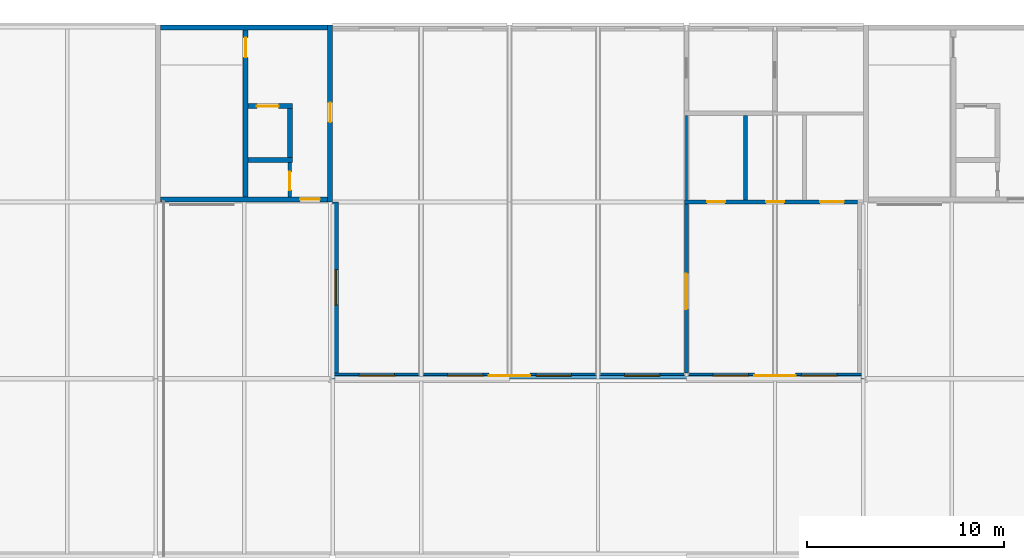
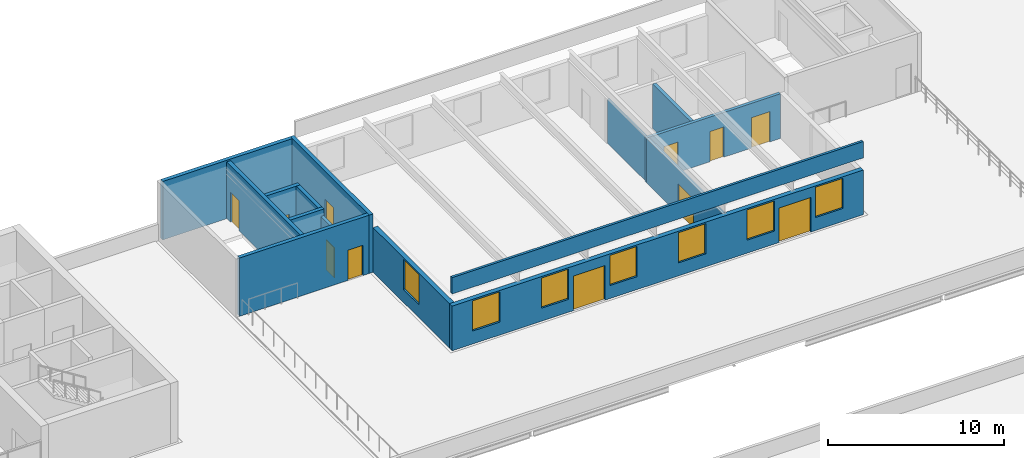
# One storey, part 46 of 50: 15 walls, 11 doors, 7 windows, 18 openings.
"""IFC4 building model written with IfcOpenShell, lengths in metres."""

from ifc_helpers import new_model, si_unit, direction, frame, frame_2d, origin, place, context, subcontext, project, spatial, rectangle, extrude, material, layer, layer_set, type_object, element, fill, save


model = new_model("IFC4")

# Units and contexts
model_context = context("Model", 3, precision=1e-05, world=origin(), true_north=direction((0.0, 1.0)))
body_context = subcontext(model_context, "Body", "Model", "MODEL_VIEW")
ifc_project = project(units=[si_unit("LENGTHUNIT", "METRE"), si_unit("AREAUNIT", "SQUARE_METRE"), si_unit("VOLUMEUNIT", "CUBIC_METRE"), si_unit("PLANEANGLEUNIT", "RADIAN"), si_unit("MASSUNIT", "GRAM", prefix="KILO")], contexts=[model_context])

# Site, building, storey
site_placement = place(None, origin())
site = spatial("IfcSite", under=ifc_project, at=site_placement, CompositionType="ELEMENT")
building_placement = place(site_placement, origin())
building = spatial("IfcBuilding", under=site, at=building_placement, Name="Corbel Yard City Hall", CompositionType="ELEMENT")
storey_placement = place(building_placement, frame((0.0, 0.0, 15.0)))
storey = spatial("IfcBuildingStorey", under=building, at=storey_placement, Name="L03", CompositionType="ELEMENT", Elevation=15.0)

# Wall, opening, door
ifc_material_1 = material(Name="Concrete N50 (50 MPa)", Category="concrete")
ifc_layer_1 = layer(ifc_material_1, 0.25)
ifc_layer_set_1 = layer_set([ifc_layer_1], Name="Concrete N50 (50 MPa)")
wall_type_1 = type_object("IfcWallType", Name="Core cell wall 250", PredefinedType="SHEAR", material=ifc_layer_set_1)
wall_1_placement = place(storey_placement, frame((71.875, 108.0, 0.0), z_axis=(0.0, 0.0, 1.0), x_axis=(0.0, 1.0, 0.0)))
wall_1 = element("IfcWall", 1, at=wall_1_placement, inside=storey, type_object=wall_type_1, Name="Core PC-N1 east wall", PredefinedType="SHEAR", context=body_context, shape_type="SweptSolid", body=[
    extrude(rectangle(XDim=9.0, YDim=0.25, at=frame_2d((4.5, 0.0))), origin(), (0.0, 0.0, 1.0), 4.050048828125),
])
opening_1_placement = place(wall_1_placement, frame((4.050048828125, 0.0, 0.0)))
opening_1 = element("IfcOpeningElement", 2, at=opening_1_placement, cuts=wall_1, Name="Opening L03-011", PredefinedType="OPENING", context=body_context, shape_type="SweptSolid", body=[
    extrude(rectangle(XDim=1.0, YDim=2.10009765625, at=frame_2d((0.5, 1.050048828125))), frame((0.0, 0.135009765625, 0.0), z_axis=(0.0, -1.0, 0.0), x_axis=(1.0, 0.0, 0.0)), (0.0, 0.0, 1.0), 0.27001953125),
])
ifc_material_2 = material(Name="Steel Grade G250", Category="steel")
door_type_1 = type_object("IfcDoorType", Name="FS1", OperationType="SINGLE_SWING_LEFT", PredefinedType="DOOR", material=ifc_material_2)
door_1_placement = place(opening_1_placement, frame((1.0, 0.0, 0.0), z_axis=(0.0, 0.0, 1.0), x_axis=(-1.0, 0.0, 0.0)))
door_1 = element("IfcDoor", 3, at=door_1_placement, inside=storey, type_object=door_type_1, Name="Door Lift Lobby", OperationType="SINGLE_SWING_LEFT", OverallHeight=2.10009765625, OverallWidth=1.0, PredefinedType="DOOR", context=body_context, shape_type="SweptSolid", body=[
    extrude(rectangle(XDim=1.0, YDim=2.10009765625, at=frame_2d((0.5, 1.050048828125))), frame((0.0, 0.02490234375, 0.0), z_axis=(0.0, -1.0, 0.0), x_axis=(1.0, 0.0, 0.0)), (0.0, 0.0, 1.0), 0.050048828125),
])
fill(opening_1, door_1)

wall_2_placement = place(storey_placement, frame((63.25, 108.125, 0.0), z_axis=(0.0, 0.0, 1.0), x_axis=(1.0, 0.0, 0.0)))
wall_2 = element("IfcWall", 4, at=wall_2_placement, inside=storey, type_object=wall_type_1, Name="Core PC-N1 south wall", PredefinedType="SHEAR", context=body_context, shape_type="SweptSolid", body=[
    extrude(rectangle(XDim=8.5, YDim=0.25, at=frame_2d((4.25, 0.0))), origin(), (0.0, 0.0, 1.0), 4.050048828125),
])
opening_2_placement = place(wall_2_placement, frame((7.10009765625, 0.0, 0.0)))
opening_2 = element("IfcOpeningElement", 5, at=opening_2_placement, cuts=wall_2, Name="Opening L03-003", PredefinedType="OPENING", context=body_context, shape_type="SweptSolid", body=[
    extrude(rectangle(XDim=1.0, YDim=2.10009765625, at=frame_2d((0.5, 1.050048828125))), frame((0.0, 0.135009765625, 0.0), z_axis=(0.0, -1.0, 0.0), x_axis=(1.0, 0.0, 0.0)), (0.0, 0.0, 1.0), 0.27001953125),
])
ifc_material_3 = material(Name="Steel Grade G250, insulated infill", Category="steel")
door_type_2 = type_object("IfcDoorType", Name="XD3", OperationType="SINGLE_SWING_LEFT", PredefinedType="DOOR", material=ifc_material_3)
door_2_placement = place(opening_2_placement, frame((1.0, 0.0, 0.0), z_axis=(0.0, 0.0, 1.0), x_axis=(-1.0, 0.0, 0.0)))
door_2 = element("IfcDoor", 6, at=door_2_placement, inside=storey, type_object=door_type_2, Name="Terrace door PC-N1", OperationType="SINGLE_SWING_LEFT", OverallHeight=2.10009765625, OverallWidth=1.0, PredefinedType="DOOR", context=body_context, shape_type="SweptSolid", body=[
    extrude(rectangle(XDim=1.0, YDim=2.10009765625, at=frame_2d((0.5, 1.050048828125))), frame((0.0, 0.02490234375, 0.0), z_axis=(0.0, -1.0, 0.0), x_axis=(1.0, 0.0, 0.0)), (0.0, 0.0, 1.0), 0.050048828125),
])
fill(opening_2, door_2)

# Wall
wall_3_placement = place(storey_placement, frame((63.25, 116.875, 0.0), z_axis=(0.0, 0.0, 1.0), x_axis=(1.0, 0.0, 0.0)))
element("IfcWall", 7, at=wall_3_placement, inside=storey, type_object=wall_type_1, Name="Core PC-N1 north wall", PredefinedType="SHEAR", context=body_context, shape_type="SweptSolid", body=[
    extrude(rectangle(XDim=8.5, YDim=0.25, at=frame_2d((4.25, 0.0))), origin(), (0.0, 0.0, 1.0), 4.050048828125),
])

# Wall, opening, window
ifc_material_4 = material(Name="Sandstone cladding", Category="masonry")
ifc_layer_2 = layer(ifc_material_4, 0.0400390625)
ifc_material_5 = material(Name="Air cavity", Category="air")
ifc_layer_3 = layer(ifc_material_5, 0.0400390625)
ifc_material_6 = material(Name="Concrete block", Category="concrete")
ifc_layer_4 = layer(ifc_material_6, 0.18994140625)
ifc_material_7 = material(Name="Gypsum plasterboard", Category="gypsum")
ifc_layer_5 = layer(ifc_material_7, 0.030029296875)
ifc_layer_set_2 = layer_set([ifc_layer_2, ifc_layer_3, ifc_layer_4, ifc_layer_5], Name="Concrete block")
wall_type_2 = type_object("IfcWallType", Name="EW1", PredefinedType="SOLIDWALL", material=ifc_layer_set_2)
wall_4_placement = place(storey_placement, frame((72.14990234375, 99.300048828125, 0.0), z_axis=(0.0, 0.0, 1.0), x_axis=(0.0, 1.0, 0.0)))
wall_4 = element("IfcWall", 8, at=wall_4_placement, inside=storey, type_object=wall_type_2, Name="Terrace Cafe west wall", PredefinedType="SOLIDWALL", context=body_context, shape_type="SweptSolid", body=[
    extrude(rectangle(XDim=8.699951171875, YDim=0.300048828125, at=frame_2d((4.35009765625, 0.0))), origin(), (0.0, 0.0, 1.0), 3.10009765625),
])
opening_3_placement = place(wall_4_placement, frame((3.449951171875, 0.0, 0.89990234375)))
opening_3 = element("IfcOpeningElement", 9, at=opening_3_placement, cuts=wall_4, Name="Opening WN7", PredefinedType="OPENING", context=body_context, shape_type="SweptSolid", body=[
    extrude(rectangle(XDim=1.800048828125, YDim=2.10009765625, at=frame_2d((0.89990234375, 1.050048828125))), frame((0.0, 0.159912109375, 0.0), z_axis=(0.0, -1.0, 0.0), x_axis=(1.0, 0.0, 0.0)), (0.0, 0.0, 1.0), 0.320068359375),
])
ifc_material_8 = material(Name="Aluminium frame, double glazed low-e glass", Category="aluminium")
window_type = type_object("IfcWindowType", Name="WN7", PartitioningType="SINGLE_PANEL", PredefinedType="WINDOW", material=ifc_material_8)
window_1_placement = place(opening_3_placement, origin())
window_1 = element("IfcWindow", 10, at=window_1_placement, inside=storey, type_object=window_type, Name="Window WN7 L03", OverallHeight=2.10009765625, OverallWidth=1.800048828125, PartitioningType="SINGLE_PANEL", PredefinedType="WINDOW", context=body_context, shape_type="SweptSolid", body=[
    extrude(rectangle(XDim=1.800048828125, YDim=2.10009765625, at=frame_2d((0.89990234375, 1.050048828125))), frame((0.0, 0.030029296875, 0.0), z_axis=(0.0, -1.0, 0.0), x_axis=(1.0, 0.0, 0.0)), (0.0, 0.0, 1.0), 0.06005859375),
])
fill(opening_3, window_1)

# Wall, openings, windows, doors
ifc_layer_6 = layer(ifc_material_4, 0.0400390625)
ifc_layer_7 = layer(ifc_material_5, 0.0400390625)
ifc_material_9 = material(Name="Concrete N40 (40 MPa)", Category="concrete")
ifc_layer_8 = layer(ifc_material_9, 0.18994140625)
ifc_layer_9 = layer(ifc_material_7, 0.030029296875)
ifc_layer_set_3 = layer_set([ifc_layer_6, ifc_layer_7, ifc_layer_8, ifc_layer_9], Name="Concrete N40 (40 MPa)")
wall_type_3 = type_object("IfcWallType", Name="EW8", PredefinedType="SOLIDWALL", material=ifc_layer_set_3)
wall_5_placement = place(storey_placement, frame((72.0, 99.14990234375, 0.0), z_axis=(0.0, 0.0, 1.0), x_axis=(1.0, 0.0, 0.0)))
wall_5 = element("IfcWall", 11, at=wall_5_placement, inside=storey, type_object=wall_type_3, Name="Terrace Cafe south wall", PredefinedType="SOLIDWALL", context=body_context, shape_type="SweptSolid", body=[
    extrude(rectangle(XDim=27.0, YDim=0.300048828125, at=frame_2d((13.5, 0.0))), origin(), (0.0, 0.0, 1.0), 3.10009765625),
])
opening_4_placement = place(wall_5_placement, frame((1.35009765625, 0.0, 0.89990234375)))
opening_4 = element("IfcOpeningElement", 12, at=opening_4_placement, cuts=wall_5, Name="Opening WN7", PredefinedType="OPENING", context=body_context, shape_type="SweptSolid", body=[
    extrude(rectangle(XDim=1.800048828125, YDim=2.10009765625, at=frame_2d((0.89990234375, 1.050048828125))), frame((0.0, 0.159912109375, 0.0), z_axis=(0.0, -1.0, 0.0), x_axis=(1.0, 0.0, 0.0)), (0.0, 0.0, 1.0), 0.320068359375),
])
opening_5_placement = place(wall_5_placement, frame((5.85009765625, 0.0, 0.89990234375)))
opening_5 = element("IfcOpeningElement", 13, at=opening_5_placement, cuts=wall_5, Name="Opening WN7", PredefinedType="OPENING", context=body_context, shape_type="SweptSolid", body=[
    extrude(rectangle(XDim=1.800048828125, YDim=2.10009765625, at=frame_2d((0.89990234375, 1.050048828125))), frame((0.0, 0.159912109375, 0.0), z_axis=(0.0, -1.0, 0.0), x_axis=(1.0, 0.0, 0.0)), (0.0, 0.0, 1.0), 0.320068359375),
])
opening_6_placement = place(wall_5_placement, frame((10.35009765625, 0.0, 0.89990234375)))
opening_6 = element("IfcOpeningElement", 14, at=opening_6_placement, cuts=wall_5, Name="Opening WN7", PredefinedType="OPENING", context=body_context, shape_type="SweptSolid", body=[
    extrude(rectangle(XDim=1.800048828125, YDim=2.10009765625, at=frame_2d((0.89990234375, 1.050048828125))), frame((0.0, 0.159912109375, 0.0), z_axis=(0.0, -1.0, 0.0), x_axis=(1.0, 0.0, 0.0)), (0.0, 0.0, 1.0), 0.320068359375),
])
opening_7_placement = place(wall_5_placement, frame((14.85009765625, 0.0, 0.89990234375)))
opening_7 = element("IfcOpeningElement", 15, at=opening_7_placement, cuts=wall_5, Name="Opening WN7", PredefinedType="OPENING", context=body_context, shape_type="SweptSolid", body=[
    extrude(rectangle(XDim=1.800048828125, YDim=2.10009765625, at=frame_2d((0.89990234375, 1.050048828125))), frame((0.0, 0.159912109375, 0.0), z_axis=(0.0, -1.0, 0.0), x_axis=(1.0, 0.0, 0.0)), (0.0, 0.0, 1.0), 0.320068359375),
])
opening_8_placement = place(wall_5_placement, frame((19.35009765625, 0.0, 0.89990234375)))
opening_8 = element("IfcOpeningElement", 16, at=opening_8_placement, cuts=wall_5, Name="Opening WN7", PredefinedType="OPENING", context=body_context, shape_type="SweptSolid", body=[
    extrude(rectangle(XDim=1.800048828125, YDim=2.10009765625, at=frame_2d((0.89990234375, 1.050048828125))), frame((0.0, 0.159912109375, 0.0), z_axis=(0.0, -1.0, 0.0), x_axis=(1.0, 0.0, 0.0)), (0.0, 0.0, 1.0), 0.320068359375),
])
opening_9_placement = place(wall_5_placement, frame((23.85009765625, 0.0, 0.89990234375)))
opening_9 = element("IfcOpeningElement", 17, at=opening_9_placement, cuts=wall_5, Name="Opening WN7", PredefinedType="OPENING", context=body_context, shape_type="SweptSolid", body=[
    extrude(rectangle(XDim=1.800048828125, YDim=2.10009765625, at=frame_2d((0.89990234375, 1.050048828125))), frame((0.0, 0.159912109375, 0.0), z_axis=(0.0, -1.0, 0.0), x_axis=(1.0, 0.0, 0.0)), (0.0, 0.0, 1.0), 0.320068359375),
])
opening_10_placement = place(wall_5_placement, frame((7.949951171875, 0.0, 0.0)))
opening_10 = element("IfcOpeningElement", 18, at=opening_10_placement, cuts=wall_5, Name="Opening L03-001", PredefinedType="OPENING", context=body_context, shape_type="SweptSolid", body=[
    extrude(rectangle(XDim=2.10009765625, YDim=2.39990234375, at=frame_2d((1.050048828125, 1.199951171875))), frame((0.0, 0.159912109375, 0.0), z_axis=(0.0, -1.0, 0.0), x_axis=(1.0, 0.0, 0.0)), (0.0, 0.0, 1.0), 0.320068359375),
])
opening_11_placement = place(wall_5_placement, frame((21.449951171875, 0.0, 0.0)))
opening_11 = element("IfcOpeningElement", 19, at=opening_11_placement, cuts=wall_5, Name="Opening L03-002", PredefinedType="OPENING", context=body_context, shape_type="SweptSolid", body=[
    extrude(rectangle(XDim=2.10009765625, YDim=2.39990234375, at=frame_2d((1.050048828125, 1.199951171875))), frame((0.0, 0.159912109375, 0.0), z_axis=(0.0, -1.0, 0.0), x_axis=(1.0, 0.0, 0.0)), (0.0, 0.0, 1.0), 0.320068359375),
])
window_2_placement = place(opening_4_placement, origin())
window_2 = element("IfcWindow", 20, at=window_2_placement, inside=storey, type_object=window_type, Name="Window WN7 L03", OverallHeight=2.10009765625, OverallWidth=1.800048828125, PartitioningType="SINGLE_PANEL", PredefinedType="WINDOW", context=body_context, shape_type="SweptSolid", body=[
    extrude(rectangle(XDim=1.800048828125, YDim=2.10009765625, at=frame_2d((0.89990234375, 1.050048828125))), frame((0.0, 0.030029296875, 0.0), z_axis=(0.0, -1.0, 0.0), x_axis=(1.0, 0.0, 0.0)), (0.0, 0.0, 1.0), 0.06005859375),
])
fill(opening_4, window_2)
window_3_placement = place(opening_5_placement, origin())
window_3 = element("IfcWindow", 21, at=window_3_placement, inside=storey, type_object=window_type, Name="Window WN7 L03", OverallHeight=2.10009765625, OverallWidth=1.800048828125, PartitioningType="SINGLE_PANEL", PredefinedType="WINDOW", context=body_context, shape_type="SweptSolid", body=[
    extrude(rectangle(XDim=1.800048828125, YDim=2.10009765625, at=frame_2d((0.89990234375, 1.050048828125))), frame((0.0, 0.030029296875, 0.0), z_axis=(0.0, -1.0, 0.0), x_axis=(1.0, 0.0, 0.0)), (0.0, 0.0, 1.0), 0.06005859375),
])
fill(opening_5, window_3)
window_4_placement = place(opening_6_placement, origin())
window_4 = element("IfcWindow", 22, at=window_4_placement, inside=storey, type_object=window_type, Name="Window WN7 L03", OverallHeight=2.10009765625, OverallWidth=1.800048828125, PartitioningType="SINGLE_PANEL", PredefinedType="WINDOW", context=body_context, shape_type="SweptSolid", body=[
    extrude(rectangle(XDim=1.800048828125, YDim=2.10009765625, at=frame_2d((0.89990234375, 1.050048828125))), frame((0.0, 0.030029296875, 0.0), z_axis=(0.0, -1.0, 0.0), x_axis=(1.0, 0.0, 0.0)), (0.0, 0.0, 1.0), 0.06005859375),
])
fill(opening_6, window_4)
window_5_placement = place(opening_7_placement, origin())
window_5 = element("IfcWindow", 23, at=window_5_placement, inside=storey, type_object=window_type, Name="Window WN7 L03", OverallHeight=2.10009765625, OverallWidth=1.800048828125, PartitioningType="SINGLE_PANEL", PredefinedType="WINDOW", context=body_context, shape_type="SweptSolid", body=[
    extrude(rectangle(XDim=1.800048828125, YDim=2.10009765625, at=frame_2d((0.89990234375, 1.050048828125))), frame((0.0, 0.030029296875, 0.0), z_axis=(0.0, -1.0, 0.0), x_axis=(1.0, 0.0, 0.0)), (0.0, 0.0, 1.0), 0.06005859375),
])
fill(opening_7, window_5)
window_6_placement = place(opening_8_placement, origin())
window_6 = element("IfcWindow", 24, at=window_6_placement, inside=storey, type_object=window_type, Name="Window WN7 L03", OverallHeight=2.10009765625, OverallWidth=1.800048828125, PartitioningType="SINGLE_PANEL", PredefinedType="WINDOW", context=body_context, shape_type="SweptSolid", body=[
    extrude(rectangle(XDim=1.800048828125, YDim=2.10009765625, at=frame_2d((0.89990234375, 1.050048828125))), frame((0.0, 0.030029296875, 0.0), z_axis=(0.0, -1.0, 0.0), x_axis=(1.0, 0.0, 0.0)), (0.0, 0.0, 1.0), 0.06005859375),
])
fill(opening_8, window_6)
window_7_placement = place(opening_9_placement, origin())
window_7 = element("IfcWindow", 25, at=window_7_placement, inside=storey, type_object=window_type, Name="Window WN7 L03", OverallHeight=2.10009765625, OverallWidth=1.800048828125, PartitioningType="SINGLE_PANEL", PredefinedType="WINDOW", context=body_context, shape_type="SweptSolid", body=[
    extrude(rectangle(XDim=1.800048828125, YDim=2.10009765625, at=frame_2d((0.89990234375, 1.050048828125))), frame((0.0, 0.030029296875, 0.0), z_axis=(0.0, -1.0, 0.0), x_axis=(1.0, 0.0, 0.0)), (0.0, 0.0, 1.0), 0.06005859375),
])
fill(opening_9, window_7)
ifc_material_10 = material(Name="Aluminium frame, toughened laminated glass", Category="aluminium")
door_type_3 = type_object("IfcDoorType", Name="XD5", OperationType="DOUBLE_DOOR_SINGLE_SWING", PredefinedType="DOOR", material=ifc_material_10)
door_3_placement = place(opening_10_placement, frame((2.10009765625, 0.0, 0.0), z_axis=(0.0, 0.0, 1.0), x_axis=(-1.0, 0.0, 0.0)))
door_3 = element("IfcDoor", 26, at=door_3_placement, inside=storey, type_object=door_type_3, Name="Terrace door L03-009", OperationType="DOUBLE_DOOR_SINGLE_SWING", OverallHeight=2.39990234375, OverallWidth=2.10009765625, PredefinedType="DOOR", context=body_context, shape_type="SweptSolid", body=[
    extrude(rectangle(XDim=2.10009765625, YDim=2.39990234375, at=frame_2d((1.050048828125, 1.199951171875))), frame((0.0, 0.02490234375, 0.0), z_axis=(0.0, -1.0, 0.0), x_axis=(1.0, 0.0, 0.0)), (0.0, 0.0, 1.0), 0.050048828125),
])
fill(opening_10, door_3)
door_4_placement = place(opening_11_placement, frame((2.10009765625, 0.0, 0.0), z_axis=(0.0, 0.0, 1.0), x_axis=(-1.0, 0.0, 0.0)))
door_4 = element("IfcDoor", 27, at=door_4_placement, inside=storey, type_object=door_type_3, Name="Terrace door L03-010", OperationType="DOUBLE_DOOR_SINGLE_SWING", OverallHeight=2.39990234375, OverallWidth=2.10009765625, PredefinedType="DOOR", context=body_context, shape_type="SweptSolid", body=[
    extrude(rectangle(XDim=2.10009765625, YDim=2.39990234375, at=frame_2d((1.050048828125, 1.199951171875))), frame((0.0, 0.02490234375, 0.0), z_axis=(0.0, -1.0, 0.0), x_axis=(1.0, 0.0, 0.0)), (0.0, 0.0, 1.0), 0.050048828125),
])
fill(opening_11, door_4)

# Wall, opening, door
ifc_layer_10 = layer(ifc_material_9, 0.25)
ifc_layer_set_4 = layer_set([ifc_layer_10], Name="Concrete N40 (40 MPa)")
wall_type_4 = type_object("IfcWallType", Name="IW2", PredefinedType="SOLIDWALL", material=ifc_layer_set_4)
wall_6_placement = place(storey_placement, frame((67.574951171875, 116.75, 0.0), z_axis=(0.0, 0.0, 1.0), x_axis=(0.0, -1.0, 0.0)))
wall_6 = element("IfcWall", 28, at=wall_6_placement, inside=storey, type_object=wall_type_4, Name="Stair enclosure wall", PredefinedType="SOLIDWALL", context=body_context, shape_type="SweptSolid", body=[
    extrude(rectangle(XDim=8.5, YDim=0.25, at=frame_2d((4.25, 0.0))), origin(), (0.0, 0.0, 1.0), 3.949951171875),
])
opening_12_placement = place(wall_6_placement, frame((0.39990234375, 0.0, 0.0)))
opening_12 = element("IfcOpeningElement", 29, at=opening_12_placement, cuts=wall_6, Name="Opening L03-007", PredefinedType="OPENING", context=body_context, shape_type="SweptSolid", body=[
    extrude(rectangle(XDim=1.0, YDim=2.10009765625, at=frame_2d((0.5, 1.050048828125))), frame((0.0, 0.135009765625, 0.0), z_axis=(0.0, -1.0, 0.0), x_axis=(1.0, 0.0, 0.0)), (0.0, 0.0, 1.0), 0.27001953125),
])
door_5_placement = place(opening_12_placement, frame((1.0, 0.0, 0.0), z_axis=(0.0, 0.0, 1.0), x_axis=(-1.0, 0.0, 0.0)))
door_5 = element("IfcDoor", 30, at=door_5_placement, inside=storey, type_object=door_type_1, Name="Door Exit Stair 16", OperationType="SINGLE_SWING_RIGHT", OverallHeight=2.10009765625, OverallWidth=1.0, PredefinedType="DOOR", context=body_context, shape_type="SweptSolid", body=[
    extrude(rectangle(XDim=1.0, YDim=2.10009765625, at=frame_2d((0.5, 1.050048828125))), frame((0.0, 0.02490234375, 0.0), z_axis=(0.0, -1.0, 0.0), x_axis=(1.0, 0.0, 0.0)), (0.0, 0.0, 1.0), 0.050048828125),
])
fill(opening_12, door_5)

# Wall
wall_7_placement = place(storey_placement, frame((67.699951171875, 110.125, 0.0), z_axis=(0.0, 0.0, 1.0), x_axis=(1.0, 0.0, 0.0)))
element("IfcWall", 31, at=wall_7_placement, inside=storey, type_object=wall_type_4, Name="Lift LP16 shaft wall", PredefinedType="SOLIDWALL", context=body_context, shape_type="SweptSolid", body=[
    extrude(rectangle(XDim=2.25, YDim=0.25, at=frame_2d((1.125, 0.0))), origin(), (0.0, 0.0, 1.0), 3.89990234375),
])

# Wall, opening, door
wall_8_placement = place(storey_placement, frame((67.699951171875, 112.875, 0.0), z_axis=(0.0, 0.0, 1.0), x_axis=(1.0, 0.0, 0.0)))
wall_8 = element("IfcWall", 32, at=wall_8_placement, inside=storey, type_object=wall_type_4, Name="Lift LP16 shaft wall", PredefinedType="SOLIDWALL", context=body_context, shape_type="SweptSolid", body=[
    extrude(rectangle(XDim=2.25, YDim=0.25, at=frame_2d((1.125, 0.0))), origin(), (0.0, 0.0, 1.0), 3.89990234375),
])
opening_13_placement = place(wall_8_placement, frame((0.449951171875, 0.0, 0.0)))
opening_13 = element("IfcOpeningElement", 33, at=opening_13_placement, cuts=wall_8, Name="Opening L03-005", PredefinedType="OPENING", context=body_context, shape_type="SweptSolid", body=[
    extrude(rectangle(XDim=1.10009765625, YDim=2.10009765625, at=frame_2d((0.550048828125, 1.050048828125))), frame((0.0, 0.135009765625, 0.0), z_axis=(0.0, -1.0, 0.0), x_axis=(1.0, 0.0, 0.0)), (0.0, 0.0, 1.0), 0.27001953125),
])
ifc_material_11 = material(Name="Stainless steel Grade 316", Category="steel")
door_type_4 = type_object("IfcDoorType", Name="LD1", OperationType="DOUBLE_DOOR_SLIDING", PredefinedType="DOOR", material=ifc_material_11)
door_6_placement = place(opening_13_placement, origin())
door_6 = element("IfcDoor", 34, at=door_6_placement, inside=storey, type_object=door_type_4, Name="Lift LP16 landing door", OperationType="DOUBLE_DOOR_SLIDING", OverallHeight=2.10009765625, OverallWidth=1.10009765625, PredefinedType="DOOR", context=body_context, shape_type="SweptSolid", body=[
    extrude(rectangle(XDim=1.10009765625, YDim=2.10009765625, at=frame_2d((0.550048828125, 1.050048828125))), frame((0.0, 0.02490234375, 0.0), z_axis=(0.0, -1.0, 0.0), x_axis=(1.0, 0.0, 0.0)), (0.0, 0.0, 1.0), 0.050048828125),
])
fill(opening_13, door_6)

# Walls
wall_9_placement = place(storey_placement, frame((69.824951171875, 110.25, 0.0), z_axis=(0.0, 0.0, 1.0), x_axis=(0.0, 1.0, 0.0)))
element("IfcWall", 35, at=wall_9_placement, inside=storey, type_object=wall_type_4, Name="Lift LP16 shaft wall", PredefinedType="SOLIDWALL", context=body_context, shape_type="SweptSolid", body=[
    extrude(rectangle(XDim=2.5, YDim=0.25, at=frame_2d((1.25, 0.0))), origin(), (0.0, 0.0, 1.0), 3.89990234375),
])
ifc_material_12 = material(Name="Concrete N32 (32 MPa)", Category="concrete")
ifc_layer_11 = layer(ifc_material_12, 0.159912109375)
ifc_layer_set_5 = layer_set([ifc_layer_11], Name="Concrete N32 (32 MPa)")
wall_type_5 = type_object("IfcWallType", Name="PR2", PredefinedType="PARAPET", material=ifc_layer_set_5)
wall_10_placement = place(storey_placement, frame((72.0, 99.080078125, 3.94189453125), z_axis=(0.0, 0.0, 1.0), x_axis=(1.0, 0.0, 0.0)))
element("IfcWall", 36, at=wall_10_placement, inside=storey, type_object=wall_type_5, Name="Pavilion roof parapet", PredefinedType="PARAPET", context=body_context, shape_type="SweptSolid", body=[
    extrude(rectangle(XDim=27.0, YDim=0.159912109375, at=frame_2d((13.5, 0.0))), origin(), (0.0, 0.0, 1.0), 1.14013671875),
])
ifc_layer_12 = layer(ifc_material_7, 0.028076171875)
ifc_material_13 = material(Name="Steel Grade G550 (550 MPa yield)", Category="steel")
ifc_layer_13 = layer(ifc_material_13, 0.06396484375)
ifc_layer_14 = layer(ifc_material_7, 0.028076171875)
ifc_layer_set_6 = layer_set([ifc_layer_12, ifc_layer_13, ifc_layer_14], Name="Steel Grade G550 (550 MPa yield)")
wall_type_6 = type_object("IfcWallType", Name="PT1", PredefinedType="PARTITIONING", material=ifc_layer_set_6)
wall_11_placement = place(storey_placement, frame((90.0, 108.10009765625, 0.0), z_axis=(0.0, 0.0, 1.0), x_axis=(0.0, 1.0, 0.0)))
element("IfcWall", 37, at=wall_11_placement, inside=storey, type_object=wall_type_6, Name="Partition", PredefinedType="PARTITIONING", context=body_context, shape_type="SweptSolid", body=[
    extrude(rectangle(XDim=4.287353515625, YDim=0.1201171875, at=frame_2d((2.1435546875, 0.0))), origin(), (0.0, 0.0, 1.0), 3.10009765625),
])

# Wall, openings, doors
ifc_layer_15 = layer(ifc_material_7, 0.031982421875)
ifc_layer_16 = layer(ifc_material_13, 0.135986328125)
ifc_layer_17 = layer(ifc_material_7, 0.031982421875)
ifc_layer_set_7 = layer_set([ifc_layer_15, ifc_layer_16, ifc_layer_17], Name="Steel Grade G550 (550 MPa yield)")
wall_type_7 = type_object("IfcWallType", Name="PT2", PredefinedType="PARTITIONING", material=ifc_layer_set_7)
wall_12_placement = place(storey_placement, frame((89.89990234375, 108.0, 0.0), z_axis=(0.0, 0.0, 1.0), x_axis=(1.0, 0.0, 0.0)))
wall_12 = element("IfcWall", 38, at=wall_12_placement, inside=storey, type_object=wall_type_7, Name="Acoustic wall", PredefinedType="PARTITIONING", context=body_context, shape_type="SweptSolid", body=[
    extrude(rectangle(XDim=8.800048828125, YDim=0.199951171875, at=frame_2d((4.39990234375, 0.0))), origin(), (0.0, 0.0, 1.0), 3.10009765625),
])
opening_14_placement = place(wall_12_placement, frame((1.14990234375, 0.0, 0.0)))
opening_14 = element("IfcOpeningElement", 39, at=opening_14_placement, cuts=wall_12, Name="Opening L03-013", PredefinedType="OPENING", context=body_context, shape_type="SweptSolid", body=[
    extrude(rectangle(XDim=0.919921875, YDim=2.10009765625, at=frame_2d((0.4599609375, 1.050048828125))), frame((0.0, 0.10986328125, 0.0), z_axis=(0.0, -1.0, 0.0), x_axis=(1.0, 0.0, 0.0)), (0.0, 0.0, 1.0), 0.219970703125),
])
opening_15_placement = place(wall_12_placement, frame((4.14990234375, 0.0, 0.0)))
opening_15 = element("IfcOpeningElement", 40, at=opening_15_placement, cuts=wall_12, Name="Opening L03-014", PredefinedType="OPENING", context=body_context, shape_type="SweptSolid", body=[
    extrude(rectangle(XDim=0.919921875, YDim=2.10009765625, at=frame_2d((0.4599609375, 1.050048828125))), frame((0.0, 0.10986328125, 0.0), z_axis=(0.0, -1.0, 0.0), x_axis=(1.0, 0.0, 0.0)), (0.0, 0.0, 1.0), 0.219970703125),
])
opening_16_placement = place(wall_12_placement, frame((6.89990234375, 0.0, 0.0)))
opening_16 = element("IfcOpeningElement", 41, at=opening_16_placement, cuts=wall_12, Name="Opening L03-015", PredefinedType="OPENING", context=body_context, shape_type="SweptSolid", body=[
    extrude(rectangle(XDim=1.199951171875, YDim=2.10009765625, at=frame_2d((0.60009765625, 1.050048828125))), frame((0.0, 0.10986328125, 0.0), z_axis=(0.0, -1.0, 0.0), x_axis=(1.0, 0.0, 0.0)), (0.0, 0.0, 1.0), 0.219970703125),
])
ifc_material_14 = material(Name="Timber", Category="wood")
door_type_5 = type_object("IfcDoorType", Name="D5", OperationType="SINGLE_SWING_RIGHT", PredefinedType="DOOR", material=ifc_material_14)
door_7_placement = place(opening_14_placement, origin())
door_7 = element("IfcDoor", 42, at=door_7_placement, inside=storey, type_object=door_type_5, Name="Door Terrace Women's WC", OperationType="SINGLE_SWING_RIGHT", OverallHeight=2.10009765625, OverallWidth=0.919921875, PredefinedType="DOOR", context=body_context, shape_type="SweptSolid", body=[
    extrude(rectangle(XDim=0.919921875, YDim=2.10009765625, at=frame_2d((0.4599609375, 1.050048828125))), frame((0.0, 0.02490234375, 0.0), z_axis=(0.0, -1.0, 0.0), x_axis=(1.0, 0.0, 0.0)), (0.0, 0.0, 1.0), 0.050048828125),
])
fill(opening_14, door_7)
door_8_placement = place(opening_15_placement, origin())
door_8 = element("IfcDoor", 43, at=door_8_placement, inside=storey, type_object=door_type_5, Name="Door Terrace Men's WC", OperationType="SINGLE_SWING_LEFT", OverallHeight=2.10009765625, OverallWidth=0.919921875, PredefinedType="DOOR", context=body_context, shape_type="SweptSolid", body=[
    extrude(rectangle(XDim=0.919921875, YDim=2.10009765625, at=frame_2d((0.4599609375, 1.050048828125))), frame((0.0, 0.02490234375, 0.0), z_axis=(0.0, -1.0, 0.0), x_axis=(1.0, 0.0, 0.0)), (0.0, 0.0, 1.0), 0.050048828125),
])
fill(opening_15, door_8)
door_type_6 = type_object("IfcDoorType", Name="D7", OperationType="SINGLE_SWING_LEFT", PredefinedType="DOOR", material=ifc_material_14)
door_9_placement = place(opening_16_placement, origin())
door_9 = element("IfcDoor", 44, at=door_9_placement, inside=storey, type_object=door_type_6, Name="Door Terrace Accessible WC", OperationType="SINGLE_SWING_LEFT", OverallHeight=2.10009765625, OverallWidth=1.199951171875, PredefinedType="DOOR", context=body_context, shape_type="SweptSolid", body=[
    extrude(rectangle(XDim=1.199951171875, YDim=2.10009765625, at=frame_2d((0.60009765625, 1.050048828125))), frame((0.0, 0.02490234375, 0.0), z_axis=(0.0, -1.0, 0.0), x_axis=(1.0, 0.0, 0.0)), (0.0, 0.0, 1.0), 0.050048828125),
])
fill(opening_16, door_9)

# Wall, opening, door
wall_13_placement = place(storey_placement, frame((90.0, 99.300048828125, 0.0), z_axis=(0.0, 0.0, 1.0), x_axis=(0.0, 1.0, 0.0)))
wall_13 = element("IfcWall", 45, at=wall_13_placement, inside=storey, type_object=wall_type_7, Name="Acoustic wall", PredefinedType="PARTITIONING", context=body_context, shape_type="SweptSolid", body=[
    extrude(rectangle(XDim=8.599853515625, YDim=0.199951171875, at=frame_2d((4.2998046875, 0.0))), origin(), (0.0, 0.0, 1.0), 3.10009765625),
])
opening_17_placement = place(wall_13_placement, frame((3.25, 0.0, 0.0)))
opening_17 = element("IfcOpeningElement", 46, at=opening_17_placement, cuts=wall_13, Name="Opening L03-012", PredefinedType="OPENING", context=body_context, shape_type="SweptSolid", body=[
    extrude(rectangle(XDim=1.800048828125, YDim=2.10009765625, at=frame_2d((0.89990234375, 1.050048828125))), frame((0.0, 0.10986328125, 0.0), z_axis=(0.0, -1.0, 0.0), x_axis=(1.0, 0.0, 0.0)), (0.0, 0.0, 1.0), 0.219970703125),
])
door_type_7 = type_object("IfcDoorType", Name="D3", OperationType="DOUBLE_DOOR_SINGLE_SWING", PredefinedType="DOOR", material=ifc_material_14)
door_10_placement = place(opening_17_placement, origin())
door_10 = element("IfcDoor", 47, at=door_10_placement, inside=storey, type_object=door_type_7, Name="Door Terrace Cafe", OperationType="DOUBLE_DOOR_SINGLE_SWING", OverallHeight=2.10009765625, OverallWidth=1.800048828125, PredefinedType="DOOR", context=body_context, shape_type="SweptSolid", body=[
    extrude(rectangle(XDim=1.800048828125, YDim=2.10009765625, at=frame_2d((0.89990234375, 1.050048828125))), frame((0.0, 0.02490234375, 0.0), z_axis=(0.0, -1.0, 0.0), x_axis=(1.0, 0.0, 0.0)), (0.0, 0.0, 1.0), 0.050048828125),
])
fill(opening_17, door_10)

ifc_material_15 = material(Name="Concrete block", Category="concrete")
ifc_layer_18 = layer(ifc_material_15, 0.18994140625)
ifc_layer_set_8 = layer_set([ifc_layer_18], Name="Concrete block")
wall_type_8 = type_object("IfcWallType", Name="PT4", PredefinedType="PARTITIONING", material=ifc_layer_set_8)
wall_14_placement = place(storey_placement, frame((69.824951171875, 108.25, 0.0), z_axis=(0.0, 0.0, 1.0), x_axis=(0.0, 1.0, 0.0)))
wall_14 = element("IfcWall", 48, at=wall_14_placement, inside=storey, type_object=wall_type_8, Name="Fire-resisting block wall", PredefinedType="PARTITIONING", context=body_context, shape_type="SweptSolid", body=[
    extrude(rectangle(XDim=1.75, YDim=0.18994140625, at=frame_2d((0.875, 0.0))), origin(), (0.0, 0.0, 1.0), 3.449951171875),
])
opening_18_placement = place(wall_14_placement, frame((0.3525390625, 0.0, 0.0)))
opening_18 = element("IfcOpeningElement", 49, at=opening_18_placement, cuts=wall_14, Name="Opening L03-008", PredefinedType="OPENING", context=body_context, shape_type="SweptSolid", body=[
    extrude(rectangle(XDim=0.919921875, YDim=2.10009765625, at=frame_2d((0.4599609375, 1.050048828125))), frame((0.0, 0.10498046875, 0.0), z_axis=(0.0, -1.0, 0.0), x_axis=(1.0, 0.0, 0.0)), (0.0, 0.0, 1.0), 0.2099609375),
])
door_type_8 = type_object("IfcDoorType", Name="FS5", OperationType="SINGLE_SWING_RIGHT", PredefinedType="DOOR", material=ifc_material_2)
door_11_placement = place(opening_18_placement, origin())
door_11 = element("IfcDoor", 50, at=door_11_placement, inside=storey, type_object=door_type_8, Name="Door Service Riser", OperationType="SINGLE_SWING_LEFT", OverallHeight=2.10009765625, OverallWidth=0.919921875, PredefinedType="DOOR", context=body_context, shape_type="SweptSolid", body=[
    extrude(rectangle(XDim=0.919921875, YDim=2.10009765625, at=frame_2d((0.4599609375, 1.050048828125))), frame((0.0, 0.02490234375, 0.0), z_axis=(0.0, -1.0, 0.0), x_axis=(1.0, 0.0, 0.0)), (0.0, 0.0, 1.0), 0.050048828125),
])
fill(opening_18, door_11)

# Wall
ifc_layer_19 = layer(ifc_material_7, 0.031982421875)
ifc_layer_20 = layer(ifc_material_13, 0.156005859375)
ifc_layer_21 = layer(ifc_material_7, 0.031982421875)
ifc_layer_set_9 = layer_set([ifc_layer_19, ifc_layer_20, ifc_layer_21], Name="Steel Grade G550 (550 MPa yield)")
wall_type_9 = type_object("IfcWallType", Name="PT5", PredefinedType="PLUMBINGWALL", material=ifc_layer_set_9)
wall_15_placement = place(storey_placement, frame((93.0, 108.10009765625, 0.0), z_axis=(0.0, 0.0, 1.0), x_axis=(0.0, 1.0, 0.0)))
element("IfcWall", 51, at=wall_15_placement, inside=storey, type_object=wall_type_9, Name="Wet wall", PredefinedType="PLUMBINGWALL", context=body_context, shape_type="SweptSolid", body=[
    extrude(rectangle(XDim=4.287353515625, YDim=0.219970703125, at=frame_2d((2.1435546875, 0.0))), origin(), (0.0, 0.0, 1.0), 3.10009765625),
])

save(model, "model.ifc")
